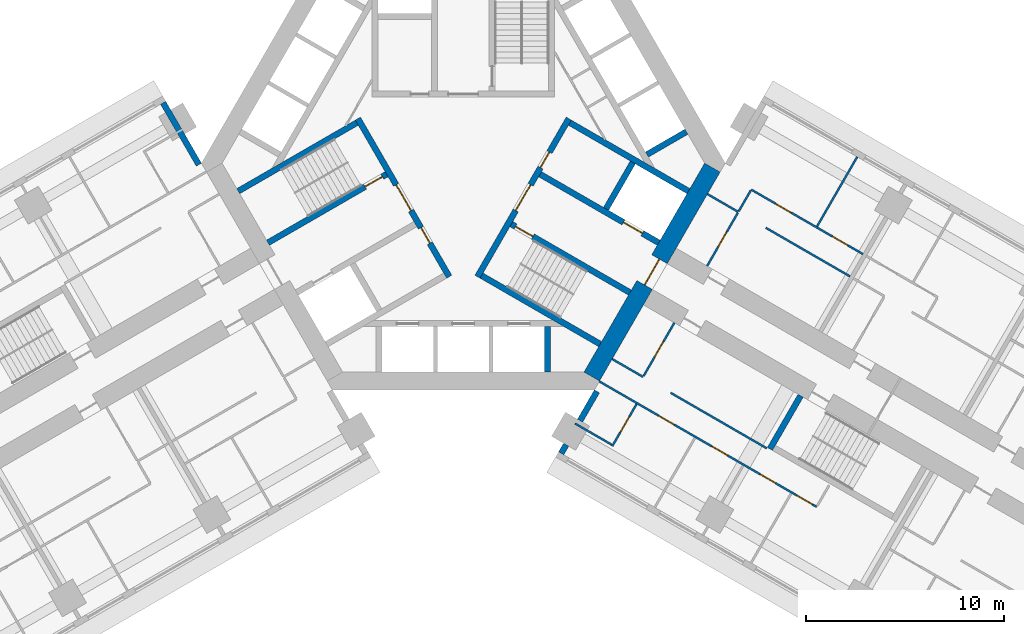
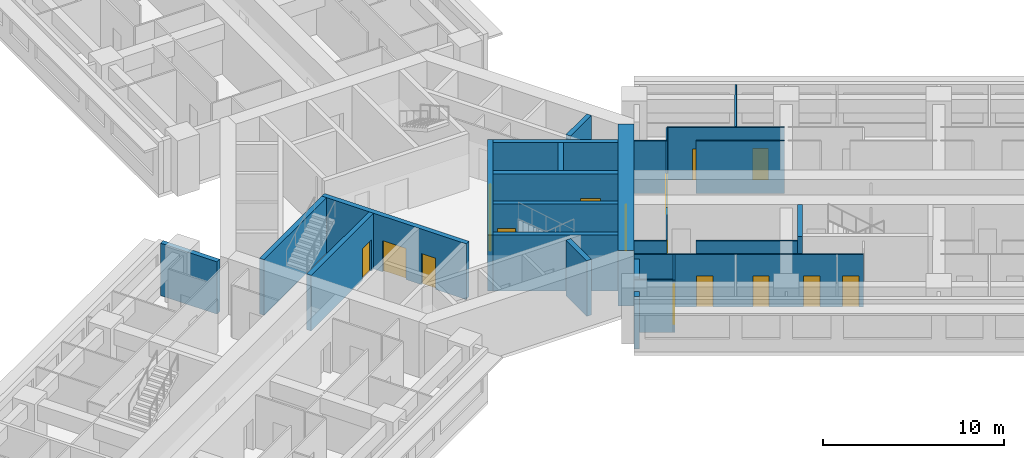
# One storey, part 7 of 15: 28 walls, 17 doors, 17 openings.
"""IFC4 building model written with IfcOpenShell, lengths in metres."""

import ifcopenshell
import ifcopenshell.guid

model = None  # the IFC model being written
_history = None  # IfcOwnerHistory: only IFC2X3 demands one
_inside = {}  # id of a spatial element -> (the spatial element, [elements in it])
_under = {}  # id of a project, library or spatial element -> (it, [spatial elements below it])
_declared = {}  # id of a project -> (the project, [libraries it declares])
_typed = {}  # id of a type object -> (the type object, [elements of that type])
_made_of = {}  # id of a material, layer set ... -> (it, [elements and type objects made of it])


def new_model(schema):
    """Start an empty IFC model of exactly this schema.

    Asked for "IFC4X3", IfcOpenShell would pick the latest addendum, in which some entities
    have other attributes; the version numbers below select the first issue.
    IFC2X3 requires an IfcOwnerHistory on every rooted entity: one is made here for all.
    """
    global model, _history
    if schema == "IFC4X3":
        model = ifcopenshell.file(schema_version=(4, 3, 0, 0))
    else:
        model = ifcopenshell.file(schema=schema)
    _inside.clear()
    _under.clear()
    _declared.clear()
    _typed.clear()
    _made_of.clear()
    _history = None
    if model.schema == "IFC2X3":
        org = make("IfcOrganization", Name="unknown")
        user = make(
            "IfcPersonAndOrganization",
            ThePerson=make("IfcPerson", FamilyName="unknown"),
            TheOrganization=org,
        )
        app = make(
            "IfcApplication",
            ApplicationDeveloper=org,
            Version="unknown",
            ApplicationFullName="unknown",
            ApplicationIdentifier="unknown",
        )
        _history = make(
            "IfcOwnerHistory",
            OwningUser=user,
            OwningApplication=app,
            ChangeAction="ADDED",
            CreationDate=0,
        )
    return model


def make(cls, **values):
    """One entity of the class cls with the attributes given. An attribute that is None is left unset."""
    return model.create_entity(
        cls, **{name: value for name, value in values.items() if value is not None}
    )


def rooted(cls, **values):
    """An entity with a GlobalId (a new one), such as an element, a storey or a relation."""
    return make(cls, GlobalId=ifcopenshell.guid.new(), OwnerHistory=_history, **values)


def si_unit(unit_type, name, prefix=None):
    """IfcSIUnit, for example si_unit("LENGTHUNIT", "METRE", prefix="MILLI")."""
    return make("IfcSIUnit", UnitType=unit_type, Prefix=prefix, Name=name)


def assignment(units):
    """IfcUnitAssignment: the units of a project."""
    return None if units is None else make("IfcUnitAssignment", Units=units)


def point(xyz):
    """IfcCartesianPoint."""
    return None if xyz is None else make("IfcCartesianPoint", Coordinates=xyz)


def direction(xyz):
    """IfcDirection."""
    return None if xyz is None else make("IfcDirection", DirectionRatios=xyz)


def frame(location, z_axis=None, x_axis=None):
    """IfcAxis2Placement3D, a coordinate frame: its origin and axes. An axis left out is left unset."""
    return make(
        "IfcAxis2Placement3D",
        Location=point(location),
        Axis=direction(z_axis),
        RefDirection=direction(x_axis),
    )


def frame_2d(location, x_axis=None):
    """IfcAxis2Placement2D, a coordinate frame in the plane: its origin and x axis."""
    return make(
        "IfcAxis2Placement2D", Location=point(location), RefDirection=direction(x_axis)
    )


def origin():
    """The frame at (0, 0, 0) with its axes left unset."""
    return frame((0.0, 0.0, 0.0))


def place(relative_to, where):
    """IfcLocalPlacement: puts the frame where relative to a parent placement (None: the world)."""
    return make(
        "IfcLocalPlacement", PlacementRelTo=relative_to, RelativePlacement=where
    )


def context(
    kind, dimensions, precision=None, world=None, true_north=None, identifier=None
):
    """IfcGeometricRepresentationContext, for example the 3D "Model" context."""
    return make(
        "IfcGeometricRepresentationContext",
        ContextIdentifier=identifier,
        ContextType=kind,
        CoordinateSpaceDimension=dimensions,
        Precision=precision,
        WorldCoordinateSystem=world,
        TrueNorth=true_north,
    )


def subcontext(parent, identifier, kind, view, scale=None):
    """IfcGeometricRepresentationSubContext, for example "Body" below "Model"."""
    return make(
        "IfcGeometricRepresentationSubContext",
        ContextIdentifier=identifier,
        ContextType=kind,
        ParentContext=parent,
        TargetScale=scale,
        TargetView=view,
    )


def project(units=None, contexts=None):
    """IfcProject with its units and contexts."""
    return rooted(
        "IfcProject",
        Name="project",
        RepresentationContexts=contexts,
        UnitsInContext=assignment(units),
    )


def spatial(cls, under=None, at=None, **own):
    """A site, building, storey or space (cls), placed at a placement, below another one or the project."""
    s = rooted(cls, ObjectPlacement=at, **own)
    if under is not None:
        _under.setdefault(under.id(), (under, []))[1].append(s)
    return s


def profile(cls, at=None, kind="AREA", **sizes):
    """A parametric profile (cls). Its sizes go by their IFC names, for example OverallWidth=200.0."""
    return make(cls, ProfileType=kind, Position=at, **sizes)


def rectangle(**sizes):
    """IfcRectangleProfileDef."""
    return profile("IfcRectangleProfileDef", **sizes)


def extrude(swept, where, along, depth):
    """IfcExtrudedAreaSolid: the profile swept, set in the frame where, extruded along a direction by depth."""
    return make(
        "IfcExtrudedAreaSolid",
        SweptArea=swept,
        Position=where,
        ExtrudedDirection=direction(along),
        Depth=depth,
    )


def shape(context_of_items, identifier, shape_type, items):
    """IfcShapeRepresentation: the items that make up one representation, for example the "Body"."""
    return make(
        "IfcShapeRepresentation",
        ContextOfItems=context_of_items,
        RepresentationIdentifier=identifier,
        RepresentationType=shape_type,
        Items=items,
    )


def material(Name=None, Category=None):
    """IfcMaterial."""
    return make("IfcMaterial", Name=Name, Category=Category)


def layer(
    of_material, thickness, ventilated=None, Name=None, Category=None, Priority=None
):
    """IfcMaterialLayer: one layer of a wall or slab, of a material (None: an air gap)."""
    return make(
        "IfcMaterialLayer",
        Material=of_material,
        LayerThickness=thickness,
        IsVentilated=ventilated,
        Name=Name,
        Category=Category,
        Priority=Priority,
    )


def layer_set(layers, Name=None):
    """IfcMaterialLayerSet."""
    return make("IfcMaterialLayerSet", MaterialLayers=layers, LayerSetName=Name)


def made_of(thing, what):
    """Note that an element or type object is made of a material, layer set ...; save() writes the relation."""
    if what is not None:
        _made_of.setdefault(what.id(), (what, []))[1].append(thing)
    return thing


def type_object(cls, material=None, **own):
    """A type object (cls), such as IfcWallType, which elements share."""
    return made_of(rooted(cls, **own), material)


def element(
    cls,
    number,
    at=None,
    inside=None,
    cuts=None,
    type_object=None,
    material=None,
    context=None,
    identifier="Body",
    shape_type=None,
    held_by="IfcProductDefinitionShape",
    body=None,
    shapes=None,
    **own,
):
    """One element of the class cls, such as IfcWall. Its Tag is "e" and its number.

    at: its placement. inside: the storey or other place that contains it. cuts: it is an
    opening in that element (IfcRelVoidsElement). A single representation is given by context,
    identifier, shape_type and body (its items); several are given by shapes. held_by: the class
    of the entity that holds the representations. save() writes the other relations.
    """
    e = rooted(cls, Tag="e%d" % number, ObjectPlacement=at, **own)
    if body is not None:
        shapes = [shape(context, identifier, shape_type, body)]
    if shapes is not None:
        e.Representation = make(held_by, Representations=shapes)
    if inside is not None:
        _inside.setdefault(inside.id(), (inside, []))[1].append(e)
    if cuts is not None:
        rooted(
            "IfcRelVoidsElement", RelatingBuildingElement=cuts, RelatedOpeningElement=e
        )
    if type_object is not None:
        _typed.setdefault(type_object.id(), (type_object, []))[1].append(e)
    return made_of(e, material)


def fill(opening, filler):
    """IfcRelFillsElement: the door or window that sits in an opening."""
    return rooted(
        "IfcRelFillsElement",
        RelatingOpeningElement=opening,
        RelatedBuildingElement=filler,
    )


def aggregate(whole, parts):
    """IfcRelAggregates: a whole, such as a stair, and the parts it consists of."""
    return rooted("IfcRelAggregates", RelatingObject=whole, RelatedObjects=parts)


def save(model, path):
    """Write the relations noted so far, then the file.

    IfcRelAggregates (storeys below a building ...), IfcRelContainedInSpatialStructure (elements
    in a storey), IfcRelDefinesByType, IfcRelAssociatesMaterial and IfcRelDeclares: one each for
    every whole, place, type object, material and project.
    """
    for whole, parts in _under.values():
        aggregate(whole, parts)
    for where, things in _inside.values():
        rooted(
            "IfcRelContainedInSpatialStructure",
            RelatedElements=things,
            RelatingStructure=where,
        )
    for kind, things in _typed.values():
        rooted("IfcRelDefinesByType", RelatedObjects=things, RelatingType=kind)
    for what, things in _made_of.values():
        rooted("IfcRelAssociatesMaterial", RelatedObjects=things, RelatingMaterial=what)
    for by, libraries in _declared.values():
        rooted("IfcRelDeclares", RelatingContext=by, RelatedDefinitions=libraries)
    model.write(path)


model = new_model("IFC4")

# Units and contexts
model_context = context("Model", 3, precision=1e-05, world=origin(), true_north=direction((0.0, 1.0)))
body_context = subcontext(model_context, "Body", "Model", "MODEL_VIEW")
ifc_project = project(units=[si_unit("LENGTHUNIT", "METRE"), si_unit("AREAUNIT", "SQUARE_METRE"), si_unit("VOLUMEUNIT", "CUBIC_METRE"), si_unit("PLANEANGLEUNIT", "RADIAN"), si_unit("MASSUNIT", "GRAM", prefix="KILO")], contexts=[model_context])

# Site, building, storey
site_placement = place(None, origin())
site = spatial("IfcSite", under=ifc_project, at=site_placement, CompositionType="ELEMENT")
building_placement = place(site_placement, origin())
building = spatial("IfcBuilding", under=site, at=building_placement, Name="Impinga Residences", CompositionType="ELEMENT")
storey_placement = place(building_placement, frame((0.0, 0.0, 86.0)))
storey = spatial("IfcBuildingStorey", under=building, at=storey_placement, Name="L21", CompositionType="ELEMENT", Elevation=86.0)

# Walls
ifc_material_1 = material(Name="Terracotta rainscreen on blockwork", Category="masonry")
ifc_layer_1 = layer(ifc_material_1, 0.300048828125)
ifc_layer_set_1 = layer_set([ifc_layer_1], Name="EW1 external wall, terracotta rainscreen on blockwork 300")
wall_type_1 = type_object("IfcWallType", Name="EW1 external wall, terracotta rainscreen on blockwork 300", PredefinedType="SOLIDWALL", material=ifc_layer_set_1)
wall_1_placement = place(storey_placement, frame((-15.1298828125, 3.042724609375, 0.0), z_axis=(0.0, 0.0, 1.0), x_axis=(0.500012057535, -0.866018442252, 0.0)))
element("IfcWall", 1, at=wall_1_placement, inside=storey, type_object=wall_type_1, Name="External wall EW1 L21", PredefinedType="SOLIDWALL", context=body_context, shape_type="SweptSolid", body=[
    extrude(rectangle(XDim=3.60009765625, YDim=0.300048828125, at=frame_2d((1.800048828125, 0.0))), origin(), (0.0, 0.0, 1.0), 3.530029296875),
])
wall_2_placement = place(storey_placement, frame((4.929931640625, -14.624267578125, 0.0), z_axis=(0.0, 0.0, 1.0), x_axis=(0.499919672301, 0.866071776036, 0.0)))
element("IfcWall", 2, at=wall_2_placement, inside=storey, type_object=wall_type_1, Name="External wall EW1 L21", PredefinedType="SOLIDWALL", context=body_context, shape_type="SweptSolid", body=[
    extrude(rectangle(XDim=0.5, YDim=0.300048828125, at=frame_2d((0.25, 0.0))), origin(), (0.0, 0.0, 1.0), 3.530029296875),
])
wall_3_placement = place(storey_placement, frame((5.8798828125, -12.978759765625, 0.0), z_axis=(0.0, 0.0, 1.0), x_axis=(0.500062241894, 0.865989465428, 0.0)))
element("IfcWall", 3, at=wall_3_placement, inside=storey, type_object=wall_type_1, Name="External wall EW1 L21", PredefinedType="SOLIDWALL", context=body_context, shape_type="SweptSolid", body=[
    extrude(rectangle(XDim=1.699951171875, YDim=0.300048828125, at=frame_2d((0.85009765625, 0.0))), origin(), (0.0, 0.0, 1.0), 3.530029296875),
])
ifc_material_2 = material(Name="Gypsum board on steel studs", Category="steel")
ifc_layer_2 = layer(ifc_material_2, 0.10009765625)
ifc_layer_set_2 = layer_set([ifc_layer_2], Name="Gypsum board on steel studs")
wall_type_2 = type_object("IfcWallType", Name="IP1 partition 100", PredefinedType="PARTITIONING", material=ifc_layer_set_2)
wall_4_placement = place(storey_placement, frame((12.300048828125, -1.558837890625, 0.0), z_axis=(0.0, 0.0, 1.0), x_axis=(0.866047807691, -0.499961193289, 0.0)))
element("IfcWall", 4, at=wall_4_placement, inside=storey, type_object=wall_type_2, Name="Partition L21-EA1:DIV0", PredefinedType="PARTITIONING", context=body_context, shape_type="SweptSolid", body=[
    extrude(rectangle(XDim=1.800048828125, YDim=0.10009765625, at=frame_2d((0.89990234375, 0.0))), origin(), (0.0, 0.0, 1.0), 3.530029296875),
])
wall_5_placement = place(storey_placement, frame((15.244384765625, -3.2587890625, 0.0), z_axis=(0.0, 0.0, 1.0), x_axis=(0.866036242063, -0.49998122708, 0.0)))
element("IfcWall", 5, at=wall_5_placement, inside=storey, type_object=wall_type_2, Name="Partition L21-EA1:DIV1", PredefinedType="PARTITIONING", context=body_context, shape_type="SweptSolid", body=[
    extrude(rectangle(XDim=4.900146484375, YDim=0.10009765625, at=frame_2d((2.4501953125, 0.0))), origin(), (0.0, 0.0, 1.0), 3.530029296875),
])

# Wall, openings, doors
wall_6_placement = place(storey_placement, frame((14.5087890625, -1.3330078125, 0.0), z_axis=(0.0, 0.0, 1.0), x_axis=(0.866024837091, -0.50000098154, 0.0)))
wall_6 = element("IfcWall", 6, at=wall_6_placement, inside=storey, type_object=wall_type_2, Name="Partition L21-EA1:STRIP", PredefinedType="PARTITIONING", context=body_context, shape_type="SweptSolid", body=[
    extrude(rectangle(XDim=6.5, YDim=0.10009765625, at=frame_2d((3.25, 0.0))), origin(), (0.0, 0.0, 1.0), 3.530029296875),
])
opening_1_placement = place(wall_6_placement, frame((1.425048828125, 0.0, 0.0)))
opening_1 = element("IfcOpeningElement", 7, at=opening_1_placement, cuts=wall_6, Name="Opening D2", PredefinedType="OPENING", context=body_context, shape_type="SweptSolid", body=[
    extrude(rectangle(XDim=0.89990234375, YDim=2.10009765625, at=frame_2d((0.449951171875, 1.050048828125))), frame((0.0, 0.06005859375, 0.0), z_axis=(0.0, -1.0, 0.0), x_axis=(1.0, 0.0, 0.0)), (0.0, 0.0, 1.0), 0.1201171875),
])
opening_2_placement = place(wall_6_placement, frame((4.72509765625, 0.0, 0.0)))
opening_2 = element("IfcOpeningElement", 8, at=opening_2_placement, cuts=wall_6, Name="Opening D2", PredefinedType="OPENING", context=body_context, shape_type="SweptSolid", body=[
    extrude(rectangle(XDim=0.89990234375, YDim=2.10009765625, at=frame_2d((0.449951171875, 1.050048828125))), frame((0.0, 0.06005859375, 0.0), z_axis=(0.0, -1.0, 0.0), x_axis=(1.0, 0.0, 0.0)), (0.0, 0.0, 1.0), 0.1201171875),
])
ifc_material_3 = material(Name="Timber door set", Category="wood")
door_type_1 = type_object("IfcDoorType", Name="D2 internal door 900x2100", OperationType="SINGLE_SWING_LEFT", PredefinedType="DOOR", material=ifc_material_3)
door_1_placement = place(opening_1_placement, origin())
door_1 = element("IfcDoor", 9, at=door_1_placement, inside=storey, type_object=door_type_1, Name="Apartment L21-EA1 room door", OperationType="SINGLE_SWING_LEFT", OverallHeight=2.10009765625, OverallWidth=0.89990234375, PredefinedType="DOOR", context=body_context, shape_type="SweptSolid", body=[
    extrude(rectangle(XDim=0.89990234375, YDim=2.10009765625, at=frame_2d((0.449951171875, 1.050048828125))), frame((0.0, 0.02490234375, 0.0), z_axis=(0.0, -1.0, 0.0), x_axis=(1.0, 0.0, 0.0)), (0.0, 0.0, 1.0), 0.050048828125),
])
fill(opening_1, door_1)
door_2_placement = place(opening_2_placement, origin())
door_2 = element("IfcDoor", 10, at=door_2_placement, inside=storey, type_object=door_type_1, Name="Apartment L21-EA1 room door", OperationType="SINGLE_SWING_RIGHT", OverallHeight=2.10009765625, OverallWidth=0.89990234375, PredefinedType="DOOR", context=body_context, shape_type="SweptSolid", body=[
    extrude(rectangle(XDim=0.89990234375, YDim=2.10009765625, at=frame_2d((0.449951171875, 1.050048828125))), frame((0.0, 0.02490234375, 0.0), z_axis=(0.0, -1.0, 0.0), x_axis=(1.0, 0.0, 0.0)), (0.0, 0.0, 1.0), 0.050048828125),
])
fill(opening_2, door_2)

# Wall
wall_7_placement = place(storey_placement, frame((13.8837890625, -2.41552734375, 0.0), z_axis=(0.0, 0.0, 1.0), x_axis=(0.500033551112, 0.866006032174, 0.0)))
element("IfcWall", 11, at=wall_7_placement, inside=storey, type_object=wall_type_2, Name="Partition L21-EA1:SE0", PredefinedType="PARTITIONING", context=body_context, shape_type="SweptSolid", body=[
    extrude(rectangle(XDim=1.2001953125, YDim=0.10009765625, at=frame_2d((0.60009765625, 0.0))), origin(), (0.0, 0.0, 1.0), 3.530029296875),
])

# Wall, opening, door
wall_8_placement = place(storey_placement, frame((12.283935546875, -5.186767578125, 0.0), z_axis=(0.0, 0.0, 1.0), x_axis=(0.499967891604, 0.866043940782, 0.0)))
wall_8 = element("IfcWall", 12, at=wall_8_placement, inside=storey, type_object=wall_type_2, Name="Partition L21-EA1:IB1", PredefinedType="PARTITIONING", context=body_context, shape_type="SweptSolid", body=[
    extrude(rectangle(XDim=3.099853515625, YDim=0.10009765625, at=frame_2d((1.5498046875, 0.0))), origin(), (0.0, 0.0, 1.0), 3.530029296875),
])
opening_3_placement = place(wall_8_placement, frame((1.10009765625, 0.0, 0.0)))
opening_3 = element("IfcOpeningElement", 13, at=opening_3_placement, cuts=wall_8, Name="Opening D2", PredefinedType="OPENING", context=body_context, shape_type="SweptSolid", body=[
    extrude(rectangle(XDim=0.89990234375, YDim=2.10009765625, at=frame_2d((0.449951171875, 1.050048828125))), frame((0.0, 0.06005859375, 0.0), z_axis=(0.0, -1.0, 0.0), x_axis=(1.0, 0.0, 0.0)), (0.0, 0.0, 1.0), 0.1201171875),
])
door_3_placement = place(opening_3_placement, origin())
door_3 = element("IfcDoor", 14, at=door_3_placement, inside=storey, type_object=door_type_1, Name="Apartment L21-EA1 bathroom door", OperationType="SINGLE_SWING_LEFT", OverallHeight=2.10009765625, OverallWidth=0.89990234375, PredefinedType="DOOR", context=body_context, shape_type="SweptSolid", body=[
    extrude(rectangle(XDim=0.89990234375, YDim=2.10009765625, at=frame_2d((0.449951171875, 1.050048828125))), frame((0.0, 0.02490234375, 0.0), z_axis=(0.0, -1.0, 0.0), x_axis=(1.0, 0.0, 0.0)), (0.0, 0.0, 1.0), 0.050048828125),
])
fill(opening_3, door_3)

# Walls
wall_9_placement = place(storey_placement, frame((17.82470703125, -3.189697265625, 0.0), z_axis=(0.0, 0.0, 1.0), x_axis=(0.500035537042, 0.866004885491, 0.0)))
element("IfcWall", 15, at=wall_9_placement, inside=storey, type_object=wall_type_2, Name="Partition L21-EA1:OB1", PredefinedType="PARTITIONING", context=body_context, shape_type="SweptSolid", body=[
    extrude(rectangle(XDim=4.050048828125, YDim=0.10009765625, at=frame_2d((2.02490234375, 0.0))), origin(), (0.0, 0.0, 1.0), 3.530029296875),
])
wall_10_placement = place(storey_placement, frame((7.5, -9.872802734375, 0.0), z_axis=(0.0, 0.0, 1.0), x_axis=(0.866047807691, -0.499961193289, 0.0)))
element("IfcWall", 16, at=wall_10_placement, inside=storey, type_object=wall_type_2, Name="Partition L21-EF1:DIV0", PredefinedType="PARTITIONING", context=body_context, shape_type="SweptSolid", body=[
    extrude(rectangle(XDim=1.800048828125, YDim=0.10009765625, at=frame_2d((0.89990234375, 0.0))), origin(), (0.0, 0.0, 1.0), 3.530029296875),
])
wall_11_placement = place(storey_placement, frame((10.444580078125, -11.57275390625, 0.0), z_axis=(0.0, 0.0, 1.0), x_axis=(0.866015695474, -0.500016814911, 0.0)))
element("IfcWall", 17, at=wall_11_placement, inside=storey, type_object=wall_type_2, Name="Partition L21-EF1:DIV1", PredefinedType="PARTITIONING", context=body_context, shape_type="SweptSolid", body=[
    extrude(rectangle(XDim=5.599853515625, YDim=0.10009765625, at=frame_2d((2.7998046875, 0.0))), origin(), (0.0, 0.0, 1.0), 3.530029296875),
])

# Wall, openings, doors
wall_12_placement = place(storey_placement, frame((6.85009765625, -10.99853515625, 0.0), z_axis=(0.0, 0.0, 1.0), x_axis=(0.866024244478, -0.500002007972, 0.0)))
wall_12 = element("IfcWall", 18, at=wall_12_placement, inside=storey, type_object=wall_type_2, Name="Partition L21-EF1:STRIP", PredefinedType="PARTITIONING", context=body_context, shape_type="SweptSolid", body=[
    extrude(rectangle(XDim=12.64990234375, YDim=0.10009765625, at=frame_2d((6.324951171875, 0.0))), origin(), (0.0, 0.0, 1.0), 3.530029296875),
])
opening_4_placement = place(wall_12_placement, frame((3.449951171875, 0.0, 0.0)))
opening_4 = element("IfcOpeningElement", 19, at=opening_4_placement, cuts=wall_12, Name="Opening D2", PredefinedType="OPENING", context=body_context, shape_type="SweptSolid", body=[
    extrude(rectangle(XDim=0.89990234375, YDim=2.10009765625, at=frame_2d((0.449951171875, 1.050048828125))), frame((0.0, 0.06005859375, 0.0), z_axis=(0.0, -1.0, 0.0), x_axis=(1.0, 0.0, 0.0)), (0.0, 0.0, 1.0), 0.1201171875),
])
opening_5_placement = place(wall_12_placement, frame((6.550048828125, 0.0, 0.0)))
opening_5 = element("IfcOpeningElement", 20, at=opening_5_placement, cuts=wall_12, Name="Opening D2", PredefinedType="OPENING", context=body_context, shape_type="SweptSolid", body=[
    extrude(rectangle(XDim=0.89990234375, YDim=2.10009765625, at=frame_2d((0.449951171875, 1.050048828125))), frame((0.0, 0.06005859375, 0.0), z_axis=(0.0, -1.0, 0.0), x_axis=(1.0, 0.0, 0.0)), (0.0, 0.0, 1.0), 0.1201171875),
])
opening_6_placement = place(wall_12_placement, frame((9.35009765625, 0.0, 0.0)))
opening_6 = element("IfcOpeningElement", 21, at=opening_6_placement, cuts=wall_12, Name="Opening D2", PredefinedType="OPENING", context=body_context, shape_type="SweptSolid", body=[
    extrude(rectangle(XDim=0.89990234375, YDim=2.10009765625, at=frame_2d((0.449951171875, 1.050048828125))), frame((0.0, 0.06005859375, 0.0), z_axis=(0.0, -1.0, 0.0), x_axis=(1.0, 0.0, 0.0)), (0.0, 0.0, 1.0), 0.1201171875),
])
opening_7_placement = place(wall_12_placement, frame((11.5, 0.0, 0.0)))
opening_7 = element("IfcOpeningElement", 22, at=opening_7_placement, cuts=wall_12, Name="Opening D2", PredefinedType="OPENING", context=body_context, shape_type="SweptSolid", body=[
    extrude(rectangle(XDim=0.89990234375, YDim=2.10009765625, at=frame_2d((0.449951171875, 1.050048828125))), frame((0.0, 0.06005859375, 0.0), z_axis=(0.0, -1.0, 0.0), x_axis=(1.0, 0.0, 0.0)), (0.0, 0.0, 1.0), 0.1201171875),
])
door_4_placement = place(opening_4_placement, origin())
door_4 = element("IfcDoor", 23, at=door_4_placement, inside=storey, type_object=door_type_1, Name="Apartment L21-EF1 room door", OperationType="SINGLE_SWING_LEFT", OverallHeight=2.10009765625, OverallWidth=0.89990234375, PredefinedType="DOOR", context=body_context, shape_type="SweptSolid", body=[
    extrude(rectangle(XDim=0.89990234375, YDim=2.10009765625, at=frame_2d((0.449951171875, 1.050048828125))), frame((0.0, 0.02490234375, 0.0), z_axis=(0.0, -1.0, 0.0), x_axis=(1.0, 0.0, 0.0)), (0.0, 0.0, 1.0), 0.050048828125),
])
fill(opening_4, door_4)
door_5_placement = place(opening_5_placement, origin())
door_5 = element("IfcDoor", 24, at=door_5_placement, inside=storey, type_object=door_type_1, Name="Apartment L21-EF1 room door", OperationType="SINGLE_SWING_RIGHT", OverallHeight=2.10009765625, OverallWidth=0.89990234375, PredefinedType="DOOR", context=body_context, shape_type="SweptSolid", body=[
    extrude(rectangle(XDim=0.89990234375, YDim=2.10009765625, at=frame_2d((0.449951171875, 1.050048828125))), frame((0.0, 0.02490234375, 0.0), z_axis=(0.0, -1.0, 0.0), x_axis=(1.0, 0.0, 0.0)), (0.0, 0.0, 1.0), 0.050048828125),
])
fill(opening_5, door_5)
door_6_placement = place(opening_6_placement, origin())
door_6 = element("IfcDoor", 25, at=door_6_placement, inside=storey, type_object=door_type_1, Name="Apartment L21-EF1 room door", OperationType="SINGLE_SWING_RIGHT", OverallHeight=2.10009765625, OverallWidth=0.89990234375, PredefinedType="DOOR", context=body_context, shape_type="SweptSolid", body=[
    extrude(rectangle(XDim=0.89990234375, YDim=2.10009765625, at=frame_2d((0.449951171875, 1.050048828125))), frame((0.0, 0.02490234375, 0.0), z_axis=(0.0, -1.0, 0.0), x_axis=(1.0, 0.0, 0.0)), (0.0, 0.0, 1.0), 0.050048828125),
])
fill(opening_6, door_6)
door_7_placement = place(opening_7_placement, origin())
door_7 = element("IfcDoor", 26, at=door_7_placement, inside=storey, type_object=door_type_1, Name="Apartment L21-EF1 room door", OperationType="SINGLE_SWING_RIGHT", OverallHeight=2.10009765625, OverallWidth=0.89990234375, PredefinedType="DOOR", context=body_context, shape_type="SweptSolid", body=[
    extrude(rectangle(XDim=0.89990234375, YDim=2.10009765625, at=frame_2d((0.449951171875, 1.050048828125))), frame((0.0, 0.02490234375, 0.0), z_axis=(0.0, -1.0, 0.0), x_axis=(1.0, 0.0, 0.0)), (0.0, 0.0, 1.0), 0.050048828125),
])
fill(opening_7, door_7)

# Wall, opening, door
wall_13_placement = place(storey_placement, frame((10.6337890625, -8.044677734375, 0.0), z_axis=(0.0, 0.0, 1.0), x_axis=(-0.49999285859, -0.86602952684, 0.0)))
wall_13 = element("IfcWall", 27, at=wall_13_placement, inside=storey, type_object=wall_type_2, Name="Partition L21-EF1:IB1", PredefinedType="PARTITIONING", context=body_context, shape_type="SweptSolid", body=[
    extrude(rectangle(XDim=3.10009765625, YDim=0.10009765625, at=frame_2d((1.550048828125, 0.0))), origin(), (0.0, 0.0, 1.0), 3.530029296875),
])
opening_8_placement = place(wall_13_placement, frame((1.10009765625, 0.0, 0.0)))
opening_8 = element("IfcOpeningElement", 28, at=opening_8_placement, cuts=wall_13, Name="Opening D2", PredefinedType="OPENING", context=body_context, shape_type="SweptSolid", body=[
    extrude(rectangle(XDim=0.89990234375, YDim=2.10009765625, at=frame_2d((0.449951171875, 1.050048828125))), frame((0.0, 0.06005859375, 0.0), z_axis=(0.0, -1.0, 0.0), x_axis=(1.0, 0.0, 0.0)), (0.0, 0.0, 1.0), 0.1201171875),
])
door_8_placement = place(opening_8_placement, origin())
door_8 = element("IfcDoor", 29, at=door_8_placement, inside=storey, type_object=door_type_1, Name="Apartment L21-EF1 bathroom door", OperationType="SINGLE_SWING_LEFT", OverallHeight=2.10009765625, OverallWidth=0.89990234375, PredefinedType="DOOR", context=body_context, shape_type="SweptSolid", body=[
    extrude(rectangle(XDim=0.89990234375, YDim=2.10009765625, at=frame_2d((0.449951171875, 1.050048828125))), frame((0.0, 0.02490234375, 0.0), z_axis=(0.0, -1.0, 0.0), x_axis=(1.0, 0.0, 0.0)), (0.0, 0.0, 1.0), 0.050048828125),
])
fill(opening_8, door_8)

wall_14_placement = place(storey_placement, frame((8.730224609375, -12.141845703125, 0.0), z_axis=(0.0, 0.0, 1.0), x_axis=(-0.499943856944, -0.866057815567, 0.0)))
wall_14 = element("IfcWall", 30, at=wall_14_placement, inside=storey, type_object=wall_type_2, Name="Partition L21-EF1:EN1", PredefinedType="PARTITIONING", context=body_context, shape_type="SweptSolid", body=[
    extrude(rectangle(XDim=2.449951171875, YDim=0.10009765625, at=frame_2d((1.22509765625, 0.0))), origin(), (0.0, 0.0, 1.0), 3.530029296875),
])
opening_9_placement = place(wall_14_placement, frame((0.75, 0.0, 0.0)))
opening_9 = element("IfcOpeningElement", 31, at=opening_9_placement, cuts=wall_14, Name="Opening D2", PredefinedType="OPENING", context=body_context, shape_type="SweptSolid", body=[
    extrude(rectangle(XDim=0.89990234375, YDim=2.10009765625, at=frame_2d((0.449951171875, 1.050048828125))), frame((0.0, 0.06005859375, 0.0), z_axis=(0.0, -1.0, 0.0), x_axis=(1.0, 0.0, 0.0)), (0.0, 0.0, 1.0), 0.1201171875),
])
door_9_placement = place(opening_9_placement, origin())
door_9 = element("IfcDoor", 32, at=door_9_placement, inside=storey, type_object=door_type_1, Name="Apartment L21-EF1 en-suite door", OperationType="SINGLE_SWING_LEFT", OverallHeight=2.10009765625, OverallWidth=0.89990234375, PredefinedType="DOOR", context=body_context, shape_type="SweptSolid", body=[
    extrude(rectangle(XDim=0.89990234375, YDim=2.10009765625, at=frame_2d((0.449951171875, 1.050048828125))), frame((0.0, 0.02490234375, 0.0), z_axis=(0.0, -1.0, 0.0), x_axis=(1.0, 0.0, 0.0)), (0.0, 0.0, 1.0), 0.050048828125),
])
fill(opening_9, door_9)

# Walls
wall_15_placement = place(storey_placement, frame((5.625, -13.120361328125, 0.0), z_axis=(0.0, 0.0, 1.0), x_axis=(0.866047553582, -0.499961633463, 0.0)))
element("IfcWall", 33, at=wall_15_placement, inside=storey, type_object=wall_type_2, Name="Partition L21-EF1:EN2", PredefinedType="PARTITIONING", context=body_context, shape_type="SweptSolid", body=[
    extrude(rectangle(XDim=2.150146484375, YDim=0.10009765625, at=frame_2d((1.0751953125, 0.0))), origin(), (0.0, 0.0, 1.0), 3.530029296875),
])
ifc_material_4 = material(Name="Concrete C60/75", Category="concrete")
ifc_layer_3 = layer(ifc_material_4, 0.300048828125)
ifc_layer_set_3 = layer_set([ifc_layer_3], Name="Concrete C60/75")
wall_type_3 = type_object("IfcWallType", Name="SE1 wing stair enclosure wall 300", PredefinedType="SOLIDWALL", material=ifc_layer_set_3)
wall_16_placement = place(storey_placement, frame((16.9990234375, -11.7197265625, 0.0), z_axis=(0.0, 0.0, 1.0), x_axis=(-0.499967891604, -0.866043940782, 0.0)))
element("IfcWall", 34, at=wall_16_placement, inside=storey, type_object=wall_type_3, Name="Stair enclosure wall SE1 E END0 L21", PredefinedType="SOLIDWALL", context=body_context, shape_type="SweptSolid", body=[
    extrude(rectangle(XDim=3.099853515625, YDim=0.300048828125, at=frame_2d((1.5498046875, 0.0))), origin(), (0.0, 0.0, 1.0), 3.75),
])

# Wall, opening, door
ifc_material_5 = material(Name="Concrete C70/85", Category="concrete")
ifc_layer_4 = layer(ifc_material_5, 0.89990234375)
ifc_layer_set_4 = layer_set([ifc_layer_4], Name="Concrete C70/85")
wall_type_4 = type_object("IfcWallType", Name="SW1 core wall 900", PredefinedType="SHEAR", material=ifc_layer_set_4)
wall_17_placement = place(storey_placement, frame((12.550537109375, -0.22509765625, 0.0), z_axis=(0.0, 0.0, 1.0), x_axis=(-0.499997612506, -0.8660267822, 0.0)))
wall_17 = element("IfcWall", 35, at=wall_17_placement, inside=storey, type_object=wall_type_4, Name="Core wall SW1 E:FACE L21", PredefinedType="SHEAR", context=body_context, shape_type="SweptSolid", body=[
    extrude(rectangle(XDim=12.16064453125, YDim=0.89990234375, at=frame_2d((6.080322265625, 0.0))), origin(), (0.0, 0.0, 1.0), 3.75),
])
opening_10_placement = place(wall_17_placement, frame((5.330322265625, 0.0, 0.0)))
opening_10 = element("IfcOpeningElement", 36, at=opening_10_placement, cuts=wall_17, Name="Opening D4", PredefinedType="OPENING", context=body_context, shape_type="SweptSolid", body=[
    extrude(rectangle(XDim=1.5, YDim=2.10009765625, at=frame_2d((0.75, 1.050048828125))), frame((0.0, 0.4599609375, 0.0), z_axis=(0.0, -1.0, 0.0), x_axis=(1.0, 0.0, 0.0)), (0.0, 0.0, 1.0), 0.919921875),
])
door_type_2 = type_object("IfcDoorType", Name="D4 lobby door pair 1500x2100", OperationType="DOUBLE_DOOR_DOUBLE_SWING", PredefinedType="DOOR", material=ifc_material_3)
door_10_placement = place(opening_10_placement, origin())
door_10 = element("IfcDoor", 37, at=door_10_placement, inside=storey, type_object=door_type_2, Name="Lobby door E", OperationType="DOUBLE_DOOR_DOUBLE_SWING", OverallHeight=2.10009765625, OverallWidth=1.5, PredefinedType="DOOR", context=body_context, shape_type="SweptSolid", body=[
    extrude(rectangle(XDim=1.5, YDim=2.10009765625, at=frame_2d((0.75, 1.050048828125))), frame((0.0, 0.02490234375, 0.0), z_axis=(0.0, -1.0, 0.0), x_axis=(1.0, 0.0, 0.0)), (0.0, 0.0, 1.0), 0.050048828125),
])
fill(opening_10, door_10)

# Wall, openings, doors
ifc_layer_5 = layer(ifc_material_5, 0.300048828125)
ifc_layer_set_5 = layer_set([ifc_layer_5], Name="Concrete C70/85")
wall_type_5 = type_object("IfcWallType", Name="SW5 core inner wall, stairs, shafts and lobbies 300", PredefinedType="SHEAR", material=ifc_layer_set_5)
wall_18_placement = place(storey_placement, frame((-0.7138671875, -5.7236328125, 0.0), z_axis=(0.0, 0.0, 1.0), x_axis=(-0.499995050369, 0.866028261437, 0.0)))
wall_18 = element("IfcWall", 38, at=wall_18_placement, inside=storey, type_object=wall_type_5, Name="Core wall SW5 W:ZONE L21", PredefinedType="SHEAR", context=body_context, shape_type="SweptSolid", body=[
    extrude(rectangle(XDim=9.19970703125, YDim=0.300048828125, at=frame_2d((4.599853515625, 0.0))), origin(), (0.0, 0.0, 1.0), 3.75),
])
opening_11_placement = place(wall_18_placement, frame((3.85009765625, 0.0, 0.0)))
opening_11 = element("IfcOpeningElement", 39, at=opening_11_placement, cuts=wall_18, Name="Opening D4", PredefinedType="OPENING", context=body_context, shape_type="SweptSolid", body=[
    extrude(rectangle(XDim=1.5, YDim=2.10009765625, at=frame_2d((0.75, 1.050048828125))), frame((0.0, 0.159912109375, 0.0), z_axis=(0.0, -1.0, 0.0), x_axis=(1.0, 0.0, 0.0)), (0.0, 0.0, 1.0), 0.320068359375),
])
opening_12_placement = place(wall_18_placement, frame((1.949951171875, 0.0, 0.0)))
opening_12 = element("IfcOpeningElement", 40, at=opening_12_placement, cuts=wall_18, Name="Opening D6", PredefinedType="OPENING", context=body_context, shape_type="SweptSolid", body=[
    extrude(rectangle(XDim=0.89990234375, YDim=2.10009765625, at=frame_2d((0.449951171875, 1.050048828125))), frame((0.0, 0.159912109375, 0.0), z_axis=(0.0, -1.0, 0.0), x_axis=(1.0, 0.0, 0.0)), (0.0, 0.0, 1.0), 0.320068359375),
])
door_11_placement = place(opening_11_placement, origin())
door_11 = element("IfcDoor", 41, at=door_11_placement, inside=storey, type_object=door_type_2, Name="Firefighting lobby door W", OperationType="DOUBLE_DOOR_DOUBLE_SWING", OverallHeight=2.10009765625, OverallWidth=1.5, PredefinedType="DOOR", context=body_context, shape_type="SweptSolid", body=[
    extrude(rectangle(XDim=1.5, YDim=2.10009765625, at=frame_2d((0.75, 1.050048828125))), frame((0.0, 0.02490234375, 0.0), z_axis=(0.0, -1.0, 0.0), x_axis=(1.0, 0.0, 0.0)), (0.0, 0.0, 1.0), 0.050048828125),
])
fill(opening_11, door_11)
door_type_3 = type_object("IfcDoorType", Name="D6 riser and store door 900x2100", OperationType="SINGLE_SWING_LEFT", PredefinedType="DOOR", material=ifc_material_3)
door_12_placement = place(opening_12_placement, origin())
door_12 = element("IfcDoor", 42, at=door_12_placement, inside=storey, type_object=door_type_3, Name="Riser door W", OperationType="SINGLE_SWING_LEFT", OverallHeight=2.10009765625, OverallWidth=0.89990234375, PredefinedType="DOOR", context=body_context, shape_type="SweptSolid", body=[
    extrude(rectangle(XDim=0.89990234375, YDim=2.10009765625, at=frame_2d((0.449951171875, 1.050048828125))), frame((0.0, 0.02490234375, 0.0), z_axis=(0.0, -1.0, 0.0), x_axis=(1.0, 0.0, 0.0)), (0.0, 0.0, 1.0), 0.050048828125),
])
fill(opening_12, door_12)

# Wall, opening, door
wall_19_placement = place(storey_placement, frame((-3.86865234375, -0.559326171875, 0.0), z_axis=(0.0, 0.0, 1.0), x_axis=(-0.86602711848, -0.499997030048, 0.0)))
wall_19 = element("IfcWall", 43, at=wall_19_placement, inside=storey, type_object=wall_type_5, Name="Core wall SW5 W:ST-IN L21", PredefinedType="SHEAR", context=body_context, shape_type="SweptSolid", body=[
    extrude(rectangle(XDim=6.9013671875, YDim=0.300048828125, at=frame_2d((3.45068359375, 0.0))), origin(), (0.0, 0.0, 1.0), 3.75),
])
opening_13_placement = place(wall_19_placement, frame((0.25, 0.0, 0.0)))
opening_13 = element("IfcOpeningElement", 44, at=opening_13_placement, cuts=wall_19, Name="Opening D5", PredefinedType="OPENING", context=body_context, shape_type="SweptSolid", body=[
    extrude(rectangle(XDim=1.0, YDim=2.10009765625, at=frame_2d((0.5, 1.050048828125))), frame((0.0, 0.159912109375, 0.0), z_axis=(0.0, -1.0, 0.0), x_axis=(1.0, 0.0, 0.0)), (0.0, 0.0, 1.0), 0.320068359375),
])
door_type_4 = type_object("IfcDoorType", Name="D5 stair door 1000x2100", OperationType="SINGLE_SWING_LEFT", PredefinedType="DOOR", material=ifc_material_3)
door_13_placement = place(opening_13_placement, origin())
door_13 = element("IfcDoor", 45, at=door_13_placement, inside=storey, type_object=door_type_4, Name="Stair door W", OperationType="SINGLE_SWING_LEFT", OverallHeight=2.10009765625, OverallWidth=1.0, PredefinedType="DOOR", context=body_context, shape_type="SweptSolid", body=[
    extrude(rectangle(XDim=1.0, YDim=2.10009765625, at=frame_2d((0.5, 1.050048828125))), frame((0.0, 0.02490234375, 0.0), z_axis=(0.0, -1.0, 0.0), x_axis=(1.0, 0.0, 0.0)), (0.0, 0.0, 1.0), 0.050048828125),
])
fill(opening_13, door_13)

# Wall
wall_20_placement = place(storey_placement, frame((-5.36865234375, 2.038818359375, 0.0), z_axis=(0.0, 0.0, 1.0), x_axis=(-0.86602711848, -0.499997030048, 0.0)))
element("IfcWall", 46, at=wall_20_placement, inside=storey, type_object=wall_type_5, Name="Core wall SW5 W:ST-OUT L21", PredefinedType="SHEAR", context=body_context, shape_type="SweptSolid", body=[
    extrude(rectangle(XDim=6.9013671875, YDim=0.300048828125, at=frame_2d((3.45068359375, 0.0))), origin(), (0.0, 0.0, 1.0), 3.75),
])

# Wall, openings, doors
wall_21_placement = place(storey_placement, frame((5.313720703125, 2.24365234375, 0.0), z_axis=(0.0, 0.0, 1.0), x_axis=(-0.499995050369, -0.866028261437, 0.0)))
wall_21 = element("IfcWall", 47, at=wall_21_placement, inside=storey, type_object=wall_type_5, Name="Core wall SW5 E:ZONE L21", PredefinedType="SHEAR", context=body_context, shape_type="SweptSolid", body=[
    extrude(rectangle(XDim=9.19970703125, YDim=0.300048828125, at=frame_2d((4.599853515625, 0.0))), origin(), (0.0, 0.0, 1.0), 3.75),
])
opening_14_placement = place(wall_21_placement, frame((3.85009765625, 0.0, 0.0)))
opening_14 = element("IfcOpeningElement", 48, at=opening_14_placement, cuts=wall_21, Name="Opening D4", PredefinedType="OPENING", context=body_context, shape_type="SweptSolid", body=[
    extrude(rectangle(XDim=1.5, YDim=2.10009765625, at=frame_2d((0.75, 1.050048828125))), frame((0.0, 0.159912109375, 0.0), z_axis=(0.0, -1.0, 0.0), x_axis=(1.0, 0.0, 0.0)), (0.0, 0.0, 1.0), 0.320068359375),
])
opening_15_placement = place(wall_21_placement, frame((1.949951171875, 0.0, 0.0)))
opening_15 = element("IfcOpeningElement", 49, at=opening_15_placement, cuts=wall_21, Name="Opening D6", PredefinedType="OPENING", context=body_context, shape_type="SweptSolid", body=[
    extrude(rectangle(XDim=0.89990234375, YDim=2.10009765625, at=frame_2d((0.449951171875, 1.050048828125))), frame((0.0, 0.159912109375, 0.0), z_axis=(0.0, -1.0, 0.0), x_axis=(1.0, 0.0, 0.0)), (0.0, 0.0, 1.0), 0.320068359375),
])
door_14_placement = place(opening_14_placement, origin())
door_14 = element("IfcDoor", 50, at=door_14_placement, inside=storey, type_object=door_type_2, Name="Firefighting lobby door E", OperationType="DOUBLE_DOOR_DOUBLE_SWING", OverallHeight=2.10009765625, OverallWidth=1.5, PredefinedType="DOOR", context=body_context, shape_type="SweptSolid", body=[
    extrude(rectangle(XDim=1.5, YDim=2.10009765625, at=frame_2d((0.75, 1.050048828125))), frame((0.0, 0.02490234375, 0.0), z_axis=(0.0, -1.0, 0.0), x_axis=(1.0, 0.0, 0.0)), (0.0, 0.0, 1.0), 0.050048828125),
])
fill(opening_14, door_14)
door_15_placement = place(opening_15_placement, origin())
door_15 = element("IfcDoor", 51, at=door_15_placement, inside=storey, type_object=door_type_3, Name="Riser door E", OperationType="SINGLE_SWING_LEFT", OverallHeight=2.10009765625, OverallWidth=0.89990234375, PredefinedType="DOOR", context=body_context, shape_type="SweptSolid", body=[
    extrude(rectangle(XDim=0.89990234375, YDim=2.10009765625, at=frame_2d((0.449951171875, 1.050048828125))), frame((0.0, 0.02490234375, 0.0), z_axis=(0.0, -1.0, 0.0), x_axis=(1.0, 0.0, 0.0)), (0.0, 0.0, 1.0), 0.050048828125),
])
fill(opening_15, door_15)

# Wall, opening, door
wall_22_placement = place(storey_placement, frame((2.418701171875, -3.07080078125, 0.0), z_axis=(0.0, 0.0, 1.0), x_axis=(0.86602711848, -0.499997030048, 0.0)))
wall_22 = element("IfcWall", 52, at=wall_22_placement, inside=storey, type_object=wall_type_5, Name="Core wall SW5 E:ST-IN L21", PredefinedType="SHEAR", context=body_context, shape_type="SweptSolid", body=[
    extrude(rectangle(XDim=6.9013671875, YDim=0.300048828125, at=frame_2d((3.45068359375, 0.0))), origin(), (0.0, 0.0, 1.0), 3.75),
])
opening_16_placement = place(wall_22_placement, frame((0.25, 0.0, 0.0)))
opening_16 = element("IfcOpeningElement", 53, at=opening_16_placement, cuts=wall_22, Name="Opening D5", PredefinedType="OPENING", context=body_context, shape_type="SweptSolid", body=[
    extrude(rectangle(XDim=1.0, YDim=2.10009765625, at=frame_2d((0.5, 1.050048828125))), frame((0.0, 0.159912109375, 0.0), z_axis=(0.0, -1.0, 0.0), x_axis=(1.0, 0.0, 0.0)), (0.0, 0.0, 1.0), 0.320068359375),
])
door_16_placement = place(opening_16_placement, origin())
door_16 = element("IfcDoor", 54, at=door_16_placement, inside=storey, type_object=door_type_4, Name="Stair door E", OperationType="SINGLE_SWING_LEFT", OverallHeight=2.10009765625, OverallWidth=1.0, PredefinedType="DOOR", context=body_context, shape_type="SweptSolid", body=[
    extrude(rectangle(XDim=1.0, YDim=2.10009765625, at=frame_2d((0.5, 1.050048828125))), frame((0.0, 0.02490234375, 0.0), z_axis=(0.0, -1.0, 0.0), x_axis=(1.0, 0.0, 0.0)), (0.0, 0.0, 1.0), 0.050048828125),
])
fill(opening_16, door_16)

# Wall
wall_23_placement = place(storey_placement, frame((0.918701171875, -5.668701171875, 0.0), z_axis=(0.0, 0.0, 1.0), x_axis=(0.866011800373, -0.500023561059, 0.0)))
element("IfcWall", 55, at=wall_23_placement, inside=storey, type_object=wall_type_5, Name="Core wall SW5 E:ST-OUT L21", PredefinedType="SHEAR", context=body_context, shape_type="SweptSolid", body=[
    extrude(rectangle(XDim=6.901611328125, YDim=0.300048828125, at=frame_2d((3.45068359375, 0.0))), origin(), (0.0, 0.0, 1.0), 3.75),
])

# Wall, opening, door
wall_24_placement = place(storey_placement, frame((3.86865234375, -0.559326171875, 0.0), z_axis=(0.0, 0.0, 1.0), x_axis=(0.86602711848, -0.499997030048, 0.0)))
wall_24 = element("IfcWall", 56, at=wall_24_placement, inside=storey, type_object=wall_type_5, Name="Core wall SW5 E:FF-IN L21", PredefinedType="SHEAR", context=body_context, shape_type="SweptSolid", body=[
    extrude(rectangle(XDim=6.9013671875, YDim=0.300048828125, at=frame_2d((3.45068359375, 0.0))), origin(), (0.0, 0.0, 1.0), 3.75),
])
opening_17_placement = place(wall_24_placement, frame((4.85009765625, 0.0, 0.0)))
opening_17 = element("IfcOpeningElement", 57, at=opening_17_placement, cuts=wall_24, Name="Opening LD2", PredefinedType="OPENING", context=body_context, shape_type="SweptSolid", body=[
    extrude(rectangle(XDim=1.10009765625, YDim=2.10009765625, at=frame_2d((0.550048828125, 1.050048828125))), frame((0.0, 0.159912109375, 0.0), z_axis=(0.0, -1.0, 0.0), x_axis=(1.0, 0.0, 0.0)), (0.0, 0.0, 1.0), 0.320068359375),
])
ifc_material_6 = material(Name="Steel lift landing door", Category="steel")
door_type_5 = type_object("IfcDoorType", Name="LD2 firefighting lift landing door 1100x2100", OperationType="DOUBLE_DOOR_SLIDING", PredefinedType="DOOR", material=ifc_material_6)
door_17_placement = place(opening_17_placement, origin())
door_17 = element("IfcDoor", 58, at=door_17_placement, inside=storey, type_object=door_type_5, Name="Firefighting lift landing door F3", OperationType="DOUBLE_DOOR_SLIDING", OverallHeight=2.10009765625, OverallWidth=1.10009765625, PredefinedType="DOOR", context=body_context, shape_type="SweptSolid", body=[
    extrude(rectangle(XDim=1.10009765625, YDim=2.10009765625, at=frame_2d((0.550048828125, 1.050048828125))), frame((0.0, 0.02490234375, 0.0), z_axis=(0.0, -1.0, 0.0), x_axis=(1.0, 0.0, 0.0)), (0.0, 0.0, 1.0), 0.050048828125),
])
fill(opening_17, door_17)

# Walls
wall_25_placement = place(storey_placement, frame((5.36865234375, 2.038818359375, 0.0), z_axis=(0.0, 0.0, 1.0), x_axis=(0.86602711848, -0.499997030048, 0.0)))
element("IfcWall", 59, at=wall_25_placement, inside=storey, type_object=wall_type_5, Name="Core wall SW5 E:FF-OUT L21", PredefinedType="SHEAR", context=body_context, shape_type="SweptSolid", body=[
    extrude(rectangle(XDim=6.9013671875, YDim=0.300048828125, at=frame_2d((3.45068359375, 0.0))), origin(), (0.0, 0.0, 1.0), 3.75),
])
wall_26_placement = place(storey_placement, frame((8.541259765625, 0.033935546875, 0.0), z_axis=(0.0, 0.0, 1.0), x_axis=(-0.50000943426, -0.866019956843, 0.0)))
element("IfcWall", 60, at=wall_26_placement, inside=storey, type_object=wall_type_5, Name="Core wall SW5 E:FF-RS L21", PredefinedType="SHEAR", context=body_context, shape_type="SweptSolid", body=[
    extrude(rectangle(XDim=2.7001953125, YDim=0.300048828125, at=frame_2d((1.35009765625, 0.0))), origin(), (0.0, 0.0, 1.0), 3.75),
])
for number, where, z_axis, x_axis, name in (
    (61, (4.25, -8.2314453125, 0.0), (0.0, 0.0, 1.0), (0.0, -1.0, 0.0), "Core wall SW5 N:BANK-L L21"),
    (62, (9.253662109375, 0.43505859375, 0.0), (0.0, 0.0, 1.0), (0.866007057882, 0.500031774688, 0.0), "Core wall SW5 W:BANK-R L21"),
):
    element("IfcWall", number, at=place(storey_placement, frame(where, z_axis=z_axis, x_axis=x_axis)), inside=storey, type_object=wall_type_5, Name=name, PredefinedType="SHEAR", context=body_context, shape_type="SweptSolid", body=[
        extrude(rectangle(XDim=2.300048828125, YDim=0.300048828125, at=frame_2d((1.14990234375, 0.0))), origin(), (0.0, 0.0, 1.0), 3.75),
    ])

save(model, "model.ifc")
